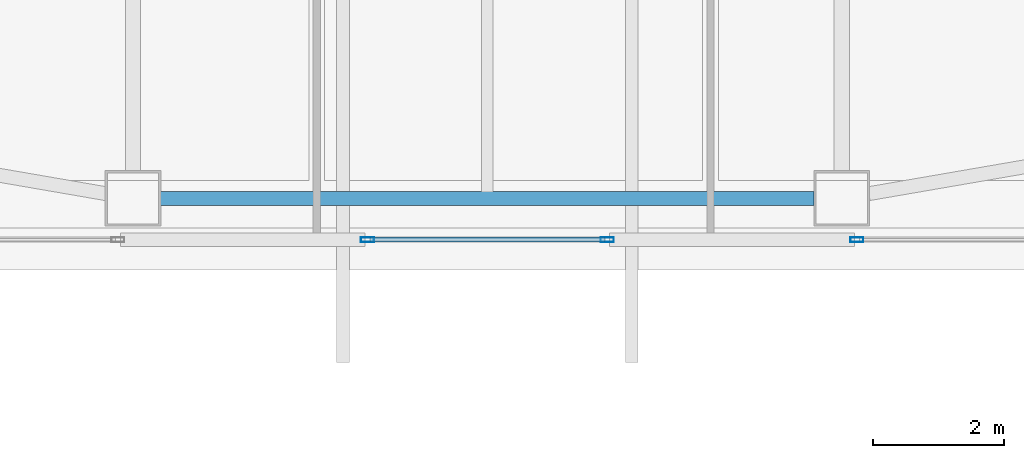
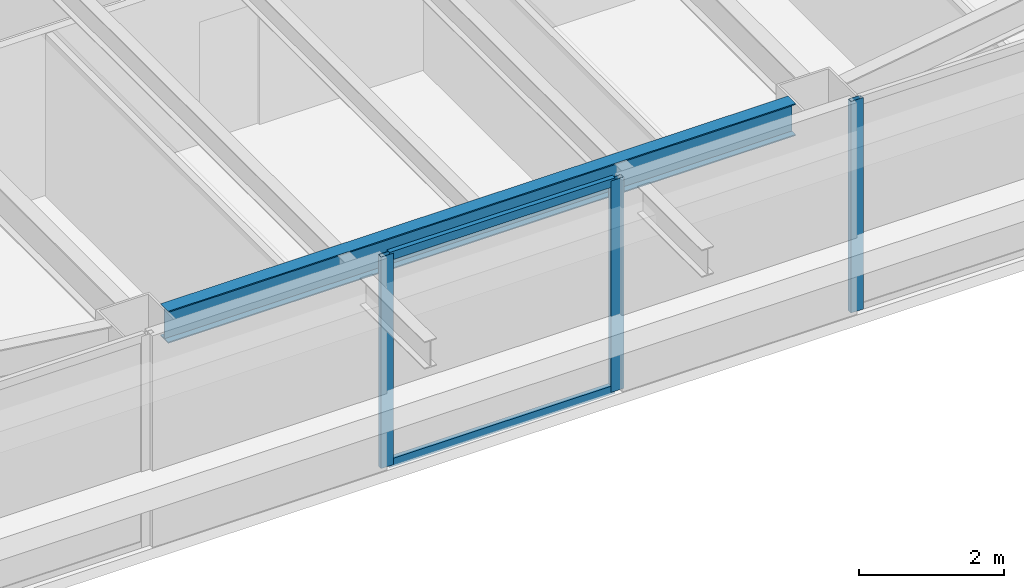
# One storey, part 5 of 42: 5 members, 1 beam, 2 elements without a shape of their own.
"""IFC4 building model written with IfcOpenShell, lengths in metres."""

from ifc_helpers import new_model, si_unit, direction, frame, origin, origin_2d, place, context, subcontext, project, spatial, hollow_rectangle, i_section, extrude, material, material_profile, profile_set, type_object, element, aggregate, save


model = new_model("IFC4")

# Units and contexts
model_context = context("Model", 3, precision=1e-05, world=origin(), true_north=direction((0.0, 1.0)))
body_context = subcontext(model_context, "Body", "Model", "MODEL_VIEW")
ifc_project = project(units=[si_unit("LENGTHUNIT", "METRE"), si_unit("AREAUNIT", "SQUARE_METRE"), si_unit("VOLUMEUNIT", "CUBIC_METRE"), si_unit("PLANEANGLEUNIT", "RADIAN"), si_unit("MASSUNIT", "GRAM", prefix="KILO")], contexts=[model_context])

# Site, building, storey
site_placement = place(None, origin())
site = spatial("IfcSite", under=ifc_project, at=site_placement, CompositionType="ELEMENT")
building_placement = place(site_placement, origin())
building = spatial("IfcBuilding", under=site, at=building_placement, Name="Tashvorn Skyway Center", CompositionType="ELEMENT")
storey_placement = place(building_placement, frame((0.0, 0.0, 121.5)))
storey = spatial("IfcBuildingStorey", under=building, at=storey_placement, Name="L32", CompositionType="ELEMENT", Elevation=121.5)

# Beam
ifc_material_1 = material(Name="Steel ASTM A992 Grade 50", Category="steel")
ifc_material_profile_1 = material_profile(ifc_material_1, i_section(OverallWidth=0.2109375, OverallDepth=0.5390625, WebThickness=0.01171875, FlangeThickness=0.018798828125, at=origin_2d()), Name="W21X73")
ifc_profile_set_1 = profile_set([ifc_material_profile_1], Name="Steel ASTM A992 Grade 50")
beam_type = type_object("IfcBeamType", Name="BM-SPANDREL-W21X73", PredefinedType="SPANDREL", material=ifc_profile_set_1)
beam_placement = place(storey_placement, frame((37.02001953125, 13.35009765625, 3.1005859375), z_axis=(1.0, 0.0, 0.0), x_axis=(0.0, 1.0, 0.0)))
element("IfcBeam", 1, at=beam_placement, inside=storey, type_object=beam_type, Name="Tower 1 L32 Spandrel Beam 02", PredefinedType="SPANDREL", context=body_context, shape_type="SweptSolid", body=[
    extrude(i_section(OverallWidth=0.2109375, OverallDepth=0.5390625, WebThickness=0.01171875, FlangeThickness=0.018798828125, at=origin_2d()), origin(), (0.0, 0.0, 1.0), 9.9599609375),
])

# Curtain wall, member
ifc_material_2 = material(Name="Thermally broken bronze-anodized aluminium 6063-T6", Category="aluminium")
curtain_wall_type = type_object("IfcCurtainWallType", Name="CW-CW-Z3", PredefinedType="NOTDEFINED", material=ifc_material_2)
curtain_wall_1_placement = place(storey_placement, origin())
curtain_wall_1 = element("IfcCurtainWall", 2, at=curtain_wall_1_placement, inside=storey, type_object=curtain_wall_type, Name="Tower 1 L32 South Unitised Curtain Wall Glazing Group 1", PredefinedType="NOTDEFINED")
ifc_material_profile_2 = material_profile(ifc_material_2, hollow_rectangle(XDim=0.074951171875, YDim=0.199951171875, WallThickness=0.00439453125, at=origin_2d()), Name="ALU-MULL-75x200")
ifc_profile_set_2 = profile_set([ifc_material_profile_2], Name="Thermally broken bronze-anodized aluminium 6063-T6")
member_type_1 = type_object("IfcMemberType", Name="CWM-CW-Z3", PredefinedType="MULLION", material=ifc_profile_set_2)
member_1_placement = place(storey_placement, frame((47.630859375, 12.719970703125, 0.0), z_axis=(0.0, 0.0, 1.0), x_axis=(0.0, -1.0, 0.0)))
member_1 = element("IfcMember", 3, at=member_1_placement, type_object=member_type_1, Name="CW-Z3 mullion 2", PredefinedType="MULLION", context=body_context, shape_type="SweptSolid", body=[
    extrude(hollow_rectangle(XDim=0.074951171875, YDim=0.199951171875, WallThickness=0.00439453125, at=origin_2d()), origin(), (0.0, 0.0, 1.0), 3.550048828125),
])
aggregate(curtain_wall_1, [member_1])

# Curtain wall, members
curtain_wall_2_placement = place(storey_placement, origin())
curtain_wall_2 = element("IfcCurtainWall", 4, at=curtain_wall_2_placement, inside=storey, type_object=curtain_wall_type, Name="Tower 1 L32 South Unitised Curtain Wall Glazing Group 2", PredefinedType="NOTDEFINED")
member_2_placement = place(storey_placement, frame((43.826904296875, 12.719970703125, 0.0), z_axis=(0.0, 0.0, 1.0), x_axis=(0.0, -1.0, 0.0)))
member_2 = element("IfcMember", 5, at=member_2_placement, type_object=member_type_1, Name="CW-Z3 mullion 1", PredefinedType="MULLION", context=body_context, shape_type="SweptSolid", body=[
    extrude(hollow_rectangle(XDim=0.074951171875, YDim=0.199951171875, WallThickness=0.00439453125, at=origin_2d()), origin(), (0.0, 0.0, 1.0), 3.550048828125),
])
member_3_placement = place(storey_placement, frame((40.173095703125, 12.719970703125, 0.0), z_axis=(0.0, 0.0, 1.0), x_axis=(0.0, -1.0, 0.0)))
member_3 = element("IfcMember", 6, at=member_3_placement, type_object=member_type_1, Name="CW-Z3 mullion 2", PredefinedType="MULLION", context=body_context, shape_type="SweptSolid", body=[
    extrude(hollow_rectangle(XDim=0.074951171875, YDim=0.199951171875, WallThickness=0.00439453125, at=origin_2d()), origin(), (0.0, 0.0, 1.0), 3.550048828125),
])
ifc_material_profile_3 = material_profile(ifc_material_2, hollow_rectangle(XDim=0.074951171875, YDim=0.139892578125, WallThickness=0.004150390625, at=origin_2d()), Name="ALU-TRAN-75x140")
ifc_profile_set_3 = profile_set([ifc_material_profile_3], Name="Thermally broken bronze-anodized aluminium 6063-T6")
member_type_2 = type_object("IfcMemberType", Name="CWT-CW-Z3", PredefinedType="USERDEFINED", material=ifc_profile_set_3)
member_4_placement = place(storey_placement, frame((43.789306640625, 12.719970703125, 0.03759765625), z_axis=(-1.0, 0.0, 0.0), x_axis=(0.0, -1.0, 0.0)))
member_4 = element("IfcMember", 7, at=member_4_placement, type_object=member_type_2, Name="CW-Z3 transom 1.1", ObjectType="TRANSOM", PredefinedType="USERDEFINED", context=body_context, shape_type="SweptSolid", body=[
    extrude(hollow_rectangle(XDim=0.074951171875, YDim=0.139892578125, WallThickness=0.004150390625, at=origin_2d()), origin(), (0.0, 0.0, 1.0), 3.57861328125),
])
member_5_placement = place(storey_placement, frame((43.789306640625, 12.719970703125, 3.512451171875), z_axis=(-1.0, 0.0, 0.0), x_axis=(0.0, -1.0, 0.0)))
member_5 = element("IfcMember", 8, at=member_5_placement, type_object=member_type_2, Name="CW-Z3 transom 1.2", ObjectType="TRANSOM", PredefinedType="USERDEFINED", context=body_context, shape_type="SweptSolid", body=[
    extrude(hollow_rectangle(XDim=0.074951171875, YDim=0.139892578125, WallThickness=0.004150390625, at=origin_2d()), origin(), (0.0, 0.0, 1.0), 3.57861328125),
])
aggregate(curtain_wall_2, [member_2, member_3, member_4, member_5])

save(model, "model.ifc")
